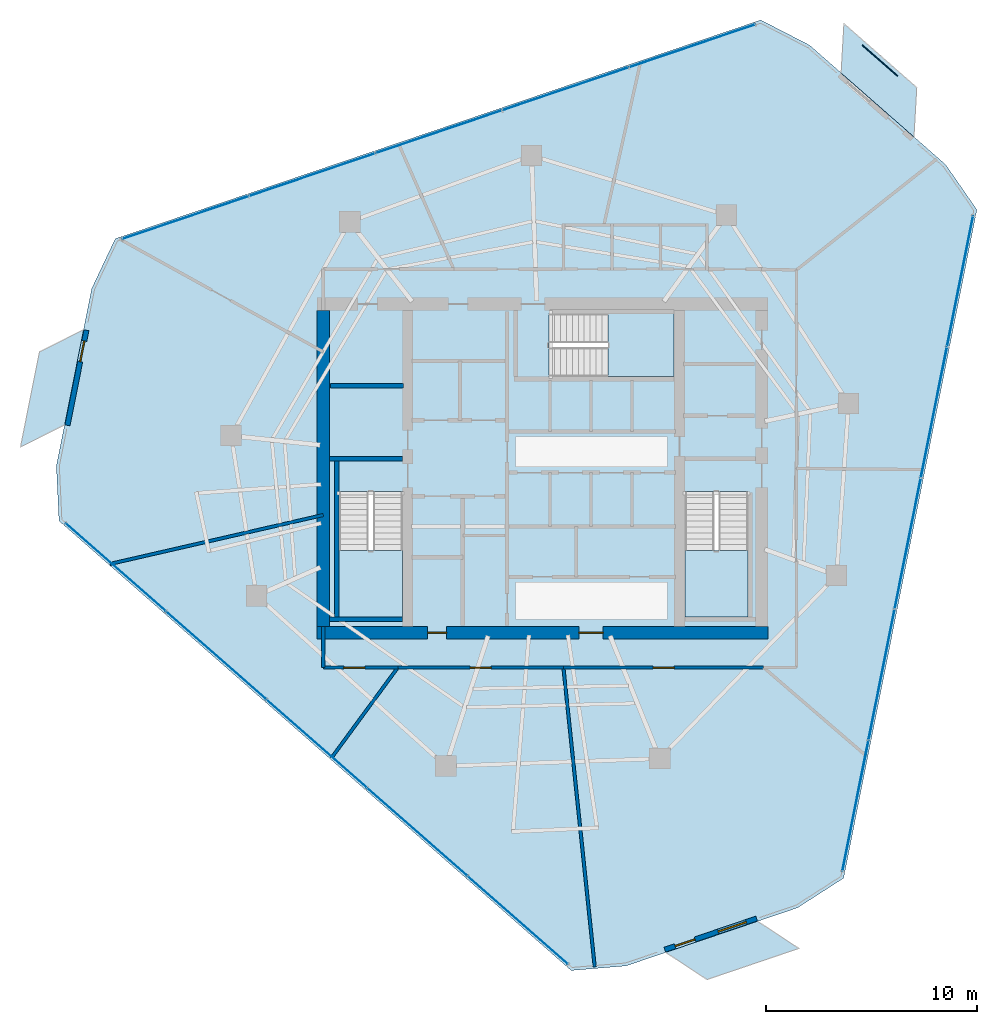
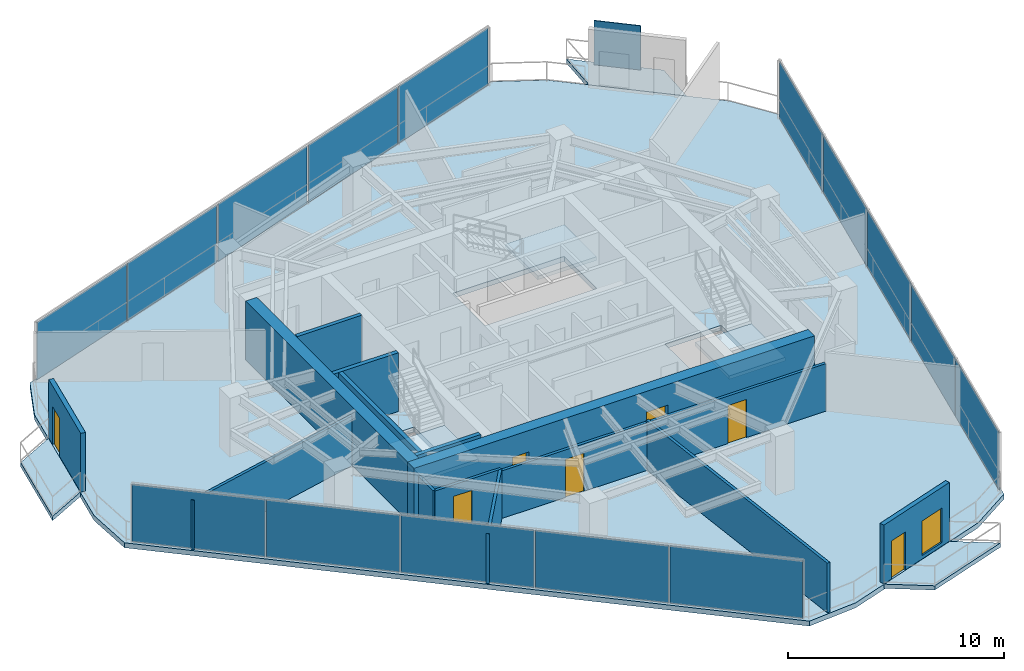
# One storey, part 15 of 20: 16 plates, 15 walls, 7 doors, 7 slabs, 1 window, 8 openings, 6 elements without a shape of their own.
"""IFC4 building model written with IfcOpenShell, lengths in metres."""

from ifc_helpers import new_model, si_unit, direction, frame, frame_2d, origin, origin_2d, place, context, subcontext, project, spatial, polyline, rectangle, outline, extrude, material, layer, layer_set, type_object, element, fill, aggregate, save


model = new_model("IFC4")

# Units and contexts
model_context = context("Model", 3, precision=1e-05, world=origin(), true_north=direction((0.0, 1.0)))
body_context = subcontext(model_context, "Body", "Model", "MODEL_VIEW")
ifc_project = project(units=[si_unit("LENGTHUNIT", "METRE"), si_unit("AREAUNIT", "SQUARE_METRE"), si_unit("VOLUMEUNIT", "CUBIC_METRE"), si_unit("PLANEANGLEUNIT", "RADIAN"), si_unit("MASSUNIT", "GRAM", prefix="KILO")], contexts=[model_context])

# Site, building, storey
site_placement = place(None, origin())
site = spatial("IfcSite", under=ifc_project, at=site_placement, CompositionType="ELEMENT")
building_placement = place(site_placement, origin())
building = spatial("IfcBuilding", under=site, at=building_placement, Name="Qarnah Convention Tower", CompositionType="ELEMENT")
storey_placement = place(building_placement, frame((0.0, 0.0, 136.5)))
storey = spatial("IfcBuildingStorey", under=building, at=storey_placement, Name="L36", CompositionType="ELEMENT", Elevation=136.5)

# Curtain wall, plates
ifc_material_1 = material(Name="Tempered Low-E dark glass", Category="glass")
ifc_layer_1 = layer(ifc_material_1, 0.172119140625)
ifc_layer_set_1 = layer_set([ifc_layer_1], Name="Tempered Low-E dark glass")
curtain_wall_type = type_object("IfcCurtainWallType", Name="CWS-03", PredefinedType="NOTDEFINED", material=ifc_layer_set_1)
curtain_wall_1_placement = place(storey_placement, origin())
curtain_wall_1 = element("IfcCurtainWall", 1, at=curtain_wall_1_placement, inside=storey, type_object=curtain_wall_type, Name="L36 unitised curtain wall CW-L36-F1", PredefinedType="NOTDEFINED")
ifc_layer_2 = layer(ifc_material_1, 0.031982421875)
ifc_layer_set_2 = layer_set([ifc_layer_2], Name="Tempered Low-E dark glass")
plate_type_1 = type_object("IfcPlateType", Name="PNL-T3", PredefinedType="CURTAIN_PANEL", material=ifc_layer_set_2)
plate_1_placement = place(storey_placement, frame((57.01416015625, 35.286865234375, 0.0400390625), z_axis=(0.0, 0.0, 1.0), x_axis=(-0.195625245476, -0.980678725849, 0.0)))
plate_1 = element("IfcPlate", 2, at=plate_1_placement, type_object=plate_type_1, Name="CW-L36-F1 curtain panel 1.1", PredefinedType="CURTAIN_PANEL", context=body_context, shape_type="SweptSolid", body=[
    extrude(rectangle(XDim=6.266845703125, YDim=0.031982421875, at=origin_2d()), origin(), (0.0, 0.0, 1.0), 3.239990234375),
])
plate_2_placement = place(storey_placement, frame((55.772705078125, 29.062744140625, 0.0400390625), z_axis=(0.0, 0.0, 1.0), x_axis=(-0.195625245476, -0.980678725849, 0.0)))
plate_2 = element("IfcPlate", 3, at=plate_2_placement, type_object=plate_type_1, Name="CW-L36-F1 curtain panel 2.1", PredefinedType="CURTAIN_PANEL", context=body_context, shape_type="SweptSolid", body=[
    extrude(rectangle(XDim=6.266845703125, YDim=0.031982421875, at=origin_2d()), origin(), (0.0, 0.0, 1.0), 3.239990234375),
])
plate_3_placement = place(storey_placement, frame((54.531005859375, 22.83837890625, 0.0400390625), z_axis=(0.0, 0.0, 1.0), x_axis=(-0.195625245476, -0.980678725849, 0.0)))
plate_3 = element("IfcPlate", 4, at=plate_3_placement, type_object=plate_type_1, Name="CW-L36-F1 curtain panel 3.1", PredefinedType="CURTAIN_PANEL", context=body_context, shape_type="SweptSolid", body=[
    extrude(rectangle(XDim=6.266845703125, YDim=0.031982421875, at=origin_2d()), origin(), (0.0, 0.0, 1.0), 3.239990234375),
])
plate_4_placement = place(storey_placement, frame((53.289306640625, 16.6142578125, 0.0400390625), z_axis=(0.0, 0.0, 1.0), x_axis=(-0.195625245476, -0.980678725849, 0.0)))
plate_4 = element("IfcPlate", 5, at=plate_4_placement, type_object=plate_type_1, Name="CW-L36-F1 curtain panel 4.1", PredefinedType="CURTAIN_PANEL", context=body_context, shape_type="SweptSolid", body=[
    extrude(rectangle(XDim=6.266845703125, YDim=0.031982421875, at=origin_2d()), origin(), (0.0, 0.0, 1.0), 3.239990234375),
])
plate_5_placement = place(storey_placement, frame((52.0478515625, 10.39013671875, 0.0400390625), z_axis=(0.0, 0.0, 1.0), x_axis=(-0.195625245476, -0.980678725849, 0.0)))
plate_5 = element("IfcPlate", 6, at=plate_5_placement, type_object=plate_type_1, Name="CW-L36-F1 curtain panel 5.1", PredefinedType="CURTAIN_PANEL", context=body_context, shape_type="SweptSolid", body=[
    extrude(rectangle(XDim=6.266845703125, YDim=0.031982421875, at=origin_2d()), origin(), (0.0, 0.0, 1.0), 3.239990234375),
])
aggregate(curtain_wall_1, [plate_1, plate_2, plate_3, plate_4, plate_5])

curtain_wall_2_placement = place(storey_placement, origin())
curtain_wall_2 = element("IfcCurtainWall", 7, at=curtain_wall_2_placement, inside=storey, type_object=curtain_wall_type, Name="L36 unitised curtain wall CW-L36-F2", PredefinedType="NOTDEFINED")
plate_6_placement = place(storey_placement, frame((36.029296875, 4.961669921875, 0.0400390625), z_axis=(0.0, 0.0, 1.0), x_axis=(-0.751498144926, 0.659735203072, 0.0)))
plate_6 = element("IfcPlate", 8, at=plate_6_placement, type_object=plate_type_1, Name="CW-L36-F2 curtain panel 1.1", PredefinedType="CURTAIN_PANEL", context=body_context, shape_type="SweptSolid", body=[
    extrude(rectangle(XDim=6.266845703125, YDim=0.031982421875, at=origin_2d()), origin(), (0.0, 0.0, 1.0), 3.239990234375),
])
plate_7_placement = place(storey_placement, frame((31.259521484375, 9.148681640625, 0.0400390625), z_axis=(0.0, 0.0, 1.0), x_axis=(-0.751498144926, 0.659735203072, 0.0)))
plate_7 = element("IfcPlate", 9, at=plate_7_placement, type_object=plate_type_1, Name="CW-L36-F2 curtain panel 2.1", PredefinedType="CURTAIN_PANEL", context=body_context, shape_type="SweptSolid", body=[
    extrude(rectangle(XDim=6.266845703125, YDim=0.031982421875, at=origin_2d()), origin(), (0.0, 0.0, 1.0), 3.239990234375),
])
plate_8_placement = place(storey_placement, frame((26.489990234375, 13.3359375, 0.0400390625), z_axis=(0.0, 0.0, 1.0), x_axis=(-0.751498144926, 0.659735203072, 0.0)))
plate_8 = element("IfcPlate", 10, at=plate_8_placement, type_object=plate_type_1, Name="CW-L36-F2 curtain panel 3.1", PredefinedType="CURTAIN_PANEL", context=body_context, shape_type="SweptSolid", body=[
    extrude(rectangle(XDim=6.266845703125, YDim=0.031982421875, at=origin_2d()), origin(), (0.0, 0.0, 1.0), 3.239990234375),
])
plate_9_placement = place(storey_placement, frame((21.720458984375, 17.523193359375, 0.0400390625), z_axis=(0.0, 0.0, 1.0), x_axis=(-0.751498144926, 0.659735203072, 0.0)))
plate_9 = element("IfcPlate", 11, at=plate_9_placement, type_object=plate_type_1, Name="CW-L36-F2 curtain panel 4.1", PredefinedType="CURTAIN_PANEL", context=body_context, shape_type="SweptSolid", body=[
    extrude(rectangle(XDim=6.266845703125, YDim=0.031982421875, at=origin_2d()), origin(), (0.0, 0.0, 1.0), 3.239990234375),
])
plate_10_placement = place(storey_placement, frame((16.95068359375, 21.71044921875, 0.0400390625), z_axis=(0.0, 0.0, 1.0), x_axis=(-0.751498144926, 0.659735203072, 0.0)))
plate_10 = element("IfcPlate", 12, at=plate_10_placement, type_object=plate_type_1, Name="CW-L36-F2 curtain panel 5.1", PredefinedType="CURTAIN_PANEL", context=body_context, shape_type="SweptSolid", body=[
    extrude(rectangle(XDim=6.266845703125, YDim=0.031982421875, at=origin_2d()), origin(), (0.0, 0.0, 1.0), 3.239990234375),
])
aggregate(curtain_wall_2, [plate_6, plate_7, plate_8, plate_9, plate_10])

curtain_wall_3_placement = place(storey_placement, origin())
curtain_wall_3 = element("IfcCurtainWall", 13, at=curtain_wall_3_placement, inside=storey, type_object=curtain_wall_type, Name="L36 unitised curtain wall CW-L36-F3", PredefinedType="NOTDEFINED")
plate_11_placement = place(storey_placement, frame((20.259521484375, 38.297607421875, 0.0400390625), z_axis=(0.0, 0.0, 1.0), x_axis=(0.947092669717, 0.320960238921, 0.0)))
plate_11 = element("IfcPlate", 14, at=plate_11_placement, type_object=plate_type_1, Name="CW-L36-F3 curtain panel 1.1", PredefinedType="CURTAIN_PANEL", context=body_context, shape_type="SweptSolid", body=[
    extrude(rectangle(XDim=6.2666015625, YDim=0.031982421875, at=origin_2d()), origin(), (0.0, 0.0, 1.0), 3.239990234375),
])
plate_12_placement = place(storey_placement, frame((26.270263671875, 40.33447265625, 0.0400390625), z_axis=(0.0, 0.0, 1.0), x_axis=(0.947092669717, 0.320960238921, 0.0)))
plate_12 = element("IfcPlate", 15, at=plate_12_placement, type_object=plate_type_1, Name="CW-L36-F3 curtain panel 2.1", PredefinedType="CURTAIN_PANEL", context=body_context, shape_type="SweptSolid", body=[
    extrude(rectangle(XDim=6.2666015625, YDim=0.031982421875, at=origin_2d()), origin(), (0.0, 0.0, 1.0), 3.239990234375),
])
plate_13_placement = place(storey_placement, frame((32.281005859375, 42.37158203125, 0.0400390625), z_axis=(0.0, 0.0, 1.0), x_axis=(0.947092669717, 0.320960238921, 0.0)))
plate_13 = element("IfcPlate", 16, at=plate_13_placement, type_object=plate_type_1, Name="CW-L36-F3 curtain panel 3.1", PredefinedType="CURTAIN_PANEL", context=body_context, shape_type="SweptSolid", body=[
    extrude(rectangle(XDim=6.2666015625, YDim=0.031982421875, at=origin_2d()), origin(), (0.0, 0.0, 1.0), 3.239990234375),
])
plate_14_placement = place(storey_placement, frame((38.291748046875, 44.408447265625, 0.0400390625), z_axis=(0.0, 0.0, 1.0), x_axis=(0.947092669717, 0.320960238921, 0.0)))
plate_14 = element("IfcPlate", 17, at=plate_14_placement, type_object=plate_type_1, Name="CW-L36-F3 curtain panel 4.1", PredefinedType="CURTAIN_PANEL", context=body_context, shape_type="SweptSolid", body=[
    extrude(rectangle(XDim=6.2666015625, YDim=0.031982421875, at=origin_2d()), origin(), (0.0, 0.0, 1.0), 3.239990234375),
])
plate_15_placement = place(storey_placement, frame((44.302490234375, 46.445556640625, 0.0400390625), z_axis=(0.0, 0.0, 1.0), x_axis=(0.947092669717, 0.320960238921, 0.0)))
plate_15 = element("IfcPlate", 18, at=plate_15_placement, type_object=plate_type_1, Name="CW-L36-F3 curtain panel 5.1", PredefinedType="CURTAIN_PANEL", context=body_context, shape_type="SweptSolid", body=[
    extrude(rectangle(XDim=6.2666015625, YDim=0.031982421875, at=origin_2d()), origin(), (0.0, 0.0, 1.0), 3.239990234375),
])
aggregate(curtain_wall_3, [plate_11, plate_12, plate_13, plate_14, plate_15])

# Plate
ifc_material_2 = material(Name="Black anodised aluminium", Category="aluminium")
ifc_layer_3 = layer(ifc_material_2, 0.044921875)
ifc_layer_set_3 = layer_set([ifc_layer_3], Name="Black anodised aluminium")
plate_type_2 = type_object("IfcPlateType", Name="SCR-BAL-18", PredefinedType="USERDEFINED", material=ifc_layer_set_3)
plate_16_placement = place(storey_placement, frame((53.216064453125, 45.74609375, 0.0), z_axis=(0.0, 0.0, 1.0), x_axis=(0.75148526, -0.659749879881, 0.0)))
element("IfcPlate", 19, at=plate_16_placement, inside=storey, type_object=plate_type_2, Name="L36 perforated desert solar screen BAL-L36-C1", ObjectType="SCREEN", PredefinedType="USERDEFINED", context=body_context, shape_type="SweptSolid", body=[
    extrude(rectangle(XDim=2.199951171875, YDim=0.044921875, at=origin_2d()), origin(), (0.0, 0.0, 1.0), 2.5),
])

# Slabs
ifc_material_3 = material(Name="Concrete C45/55", Category="concrete")
ifc_layer_4 = layer(ifc_material_3, 0.239990234375)
ifc_layer_set_4 = layer_set([ifc_layer_4], Name="Concrete C45/55")
slab_type_1 = type_object("IfcSlabType", Name="SLB-BAL-240", PredefinedType="USERDEFINED", material=ifc_layer_set_4)
slab_1_placement = place(storey_placement, frame((0.0, 0.0, -0.239990234375)))
element("IfcSlab", 20, at=slab_1_placement, inside=storey, type_object=slab_type_1, Name="L36 cantilevered balcony slab BAL-L36-C1", ObjectType="BALCONY", PredefinedType="USERDEFINED", context=body_context, shape_type="SweptSolid", body=[
    extrude(outline(polyline([(51.5009765625, 47.5029296875), (54.9580078125, 44.468017578125), (54.823974609375, 42.1259765625), (51.366943359375, 45.159912109375), (51.5009765625, 47.5029296875)])), origin(), (0.0, 0.0, 1.0), 0.239990234375),
])
slab_2_placement = place(storey_placement, frame((0.0, 0.0, -0.239990234375)))
element("IfcSlab", 21, at=slab_2_placement, inside=storey, type_object=slab_type_1, Name="L36 cantilevered balcony slab BAL-L36-C2", ObjectType="BALCONY", PredefinedType="USERDEFINED", context=body_context, shape_type="SweptSolid", body=[
    extrude(outline(polyline([(12.43505859375, 27.4150390625), (13.3349609375, 31.927001953125), (15.430908203125, 32.98095703125), (14.531005859375, 28.469970703125), (12.43505859375, 27.4150390625)])), origin(), (0.0, 0.0, 1.0), 0.239990234375),
])
slab_3_placement = place(storey_placement, frame((0.0, 0.0, -0.239990234375)))
element("IfcSlab", 22, at=slab_3_placement, inside=storey, type_object=slab_type_1, Name="L36 cantilevered balcony slab BAL-L36-C3", ObjectType="BALCONY", PredefinedType="USERDEFINED", context=body_context, shape_type="SweptSolid", body=[
    extrude(outline(polyline([(49.364990234375, 3.626953125), (45.008056640625, 2.15087890625), (43.044921875, 3.43896484375), (47.403076171875, 4.9150390625), (49.364990234375, 3.626953125)])), origin(), (0.0, 0.0, 1.0), 0.239990234375),
])

# Stair, slab
ifc_material_4 = material(Name="Concrete C50/60", Category="concrete")
stair_type = type_object("IfcStairType", Name="STR-OFF", PredefinedType="HALF_TURN_STAIR", material=ifc_material_4)
stair_1_placement = place(storey_placement, origin())
stair_1 = element("IfcStair", 23, at=stair_1_placement, inside=storey, type_object=stair_type, Name="L36 Core exit stair ST-1", PredefinedType="HALF_TURN_STAIR")
ifc_layer_5 = layer(ifc_material_4, 0.199951171875)
ifc_layer_set_5 = layer_set([ifc_layer_5], Name="Concrete C50/60")
slab_type_2 = type_object("IfcSlabType", Name="SLB-LANDING-200", PredefinedType="LANDING", material=ifc_layer_set_5)
slab_4_placement = place(storey_placement, frame((0.0, 0.0, 1.60009765625)))
slab_4 = element("IfcSlab", 24, at=slab_4_placement, type_object=slab_type_2, Name="ST-1 landing 1", PredefinedType="LANDING", context=body_context, shape_type="SweptSolid", body=[
    extrude(outline(polyline([(27.550048828125, 22.5), (27.550048828125, 19.35009765625), (30.550048828125, 19.35009765625), (30.550048828125, 22.5), (27.550048828125, 22.5)])), origin(), (0.0, 0.0, 1.0), 0.199951171875),
])
aggregate(stair_1, [slab_4])

stair_2_placement = place(storey_placement, origin())
stair_2 = element("IfcStair", 25, at=stair_2_placement, inside=storey, type_object=stair_type, Name="L36 Core exit stair ST-2", PredefinedType="HALF_TURN_STAIR")
slab_5_placement = place(storey_placement, frame((0.0, 0.0, 1.60009765625)))
slab_5 = element("IfcSlab", 26, at=slab_5_placement, type_object=slab_type_2, Name="ST-2 landing 1", PredefinedType="LANDING", context=body_context, shape_type="SweptSolid", body=[
    extrude(outline(polyline([(43.949951171875, 22.5), (43.949951171875, 19.35009765625), (46.949951171875, 19.35009765625), (46.949951171875, 22.5), (43.949951171875, 22.5)])), origin(), (0.0, 0.0, 1.0), 0.199951171875),
])
aggregate(stair_2, [slab_5])

stair_3_placement = place(storey_placement, origin())
stair_3 = element("IfcStair", 27, at=stair_3_placement, inside=storey, type_object=stair_type, Name="L36 Core exit stair ST-3", PredefinedType="HALF_TURN_STAIR")
slab_6_placement = place(storey_placement, frame((0.0, 0.0, 1.60009765625)))
slab_6 = element("IfcSlab", 28, at=slab_6_placement, type_object=slab_type_2, Name="ST-3 landing 1", PredefinedType="LANDING", context=body_context, shape_type="SweptSolid", body=[
    extrude(outline(polyline([(40.300048828125, 30.75), (43.449951171875, 30.75), (43.449951171875, 33.75), (40.300048828125, 33.75), (40.300048828125, 30.75)])), origin(), (0.0, 0.0, 1.0), 0.199951171875),
])
aggregate(stair_3, [slab_6])

# Slab
ifc_layer_6 = layer(ifc_material_3, 0.280029296875)
ifc_layer_set_6 = layer_set([ifc_layer_6], Name="Concrete C45/55")
slab_type_3 = type_object("IfcSlabType", Name="SLB-TWR-280", PredefinedType="FLOOR", material=ifc_layer_set_6)
slab_7_placement = place(storey_placement, frame((0.0, 0.0, -0.280029296875)))
element("IfcSlab", 29, at=slab_7_placement, inside=storey, type_object=slab_type_3, Name="L36 structural floor slab", PredefinedType="FLOOR", context=body_context, shape_type="SweptSolid", body=[
    extrude(outline(polyline([(47.553955078125, 47.674072265625), (16.930908203125, 37.2958984375), (15.81689453125, 34.93896484375), (14.136962890625, 26.51611328125), (14.260986328125, 23.912109375), (38.56005859375, 2.580078125), (41.157958984375, 2.794921875), (49.2919921875, 5.551025390625), (51.486083984375, 6.9599609375), (57.81103515625, 38.669921875), (56.325927734375, 40.81298828125), (49.87109375, 46.47900390625), (47.553955078125, 47.674072265625)]), holes=[polyline([(27.550048828125, 25.300048828125), (27.550048828125, 19.35009765625), (30.550048828125, 19.35009765625), (30.550048828125, 25.300048828125), (27.550048828125, 25.300048828125)]), polyline([(43.949951171875, 25.300048828125), (43.949951171875, 19.35009765625), (46.949951171875, 19.35009765625), (46.949951171875, 25.300048828125), (43.949951171875, 25.300048828125)]), polyline([(37.5, 30.75), (43.449951171875, 30.75), (43.449951171875, 33.75), (37.5, 33.75), (37.5, 30.75)])]), origin(), (0.0, 0.0, 1.0), 0.280029296875),
])

# Wall, openings, doors
ifc_material_5 = material(Name="Concrete C60/75", Category="concrete")
ifc_layer_7 = layer(ifc_material_5, 0.60009765625)
ifc_layer_set_7 = layer_set([ifc_layer_7], Name="Concrete C60/75")
wall_type_1 = type_object("IfcWallType", Name="WL-CORE-600", PredefinedType="SHEAR", material=ifc_layer_set_7)
wall_1_placement = place(storey_placement, frame((26.5, 18.60009765625, 0.0), z_axis=(0.0, 0.0, 1.0), x_axis=(1.0, 0.0, 0.0)))
wall_1 = element("IfcWall", 30, at=wall_1_placement, inside=storey, type_object=wall_type_1, Name="L36 core south shear wall", PredefinedType="SHEAR", context=body_context, shape_type="SweptSolid", body=[
    extrude(rectangle(XDim=21.39990234375, YDim=0.60009765625, at=frame_2d((10.699951171875, 0.0))), origin(), (0.0, 0.0, 1.0), 3.320068359375),
])
opening_1_placement = place(wall_1_placement, frame((12.425048828125, 0.0, 0.0)))
opening_1 = element("IfcOpeningElement", 31, at=opening_1_placement, cuts=wall_1, Name="Opening D-3607", PredefinedType="OPENING", context=body_context, shape_type="SweptSolid", body=[
    extrude(rectangle(XDim=1.14990234375, YDim=2.14990234375, at=frame_2d((0.574951171875, 1.074951171875))), frame((0.0, 0.31005859375, 0.0), z_axis=(0.0, -1.0, 0.0), x_axis=(1.0, 0.0, 0.0)), (0.0, 0.0, 1.0), 0.6201171875),
])
opening_2_placement = place(wall_1_placement, frame((5.25, 0.0, 0.0)))
opening_2 = element("IfcOpeningElement", 32, at=opening_2_placement, cuts=wall_1, Name="Opening D-3613", PredefinedType="OPENING", context=body_context, shape_type="SweptSolid", body=[
    extrude(rectangle(XDim=0.89990234375, YDim=2.10009765625, at=frame_2d((0.449951171875, 1.050048828125))), frame((0.0, 0.31005859375, 0.0), z_axis=(0.0, -1.0, 0.0), x_axis=(1.0, 0.0, 0.0)), (0.0, 0.0, 1.0), 0.6201171875),
])
ifc_material_6 = material(Name="Structural steel S355JR", Category="steel")
door_type_1 = type_object("IfcDoorType", Name="DT-LOBBY-1150", OperationType="NOTDEFINED", PredefinedType="DOOR", material=ifc_material_6)
door_1_placement = place(opening_1_placement, origin())
door_1 = element("IfcDoor", 33, at=door_1_placement, inside=storey, type_object=door_type_1, Name="Door D-3607", OperationType="SINGLE_SWING_RIGHT", OverallHeight=2.14990234375, OverallWidth=1.14990234375, PredefinedType="DOOR", context=body_context, shape_type="SweptSolid", body=[
    extrude(rectangle(XDim=1.14990234375, YDim=2.14990234375, at=frame_2d((0.574951171875, 1.074951171875))), frame((0.0, 0.02490234375, 0.0), z_axis=(0.0, -1.0, 0.0), x_axis=(1.0, 0.0, 0.0)), (0.0, 0.0, 1.0), 0.050048828125),
])
fill(opening_1, door_1)
door_type_2 = type_object("IfcDoorType", Name="DT-RISER-900", OperationType="NOTDEFINED", PredefinedType="DOOR", material=ifc_material_6)
door_2_placement = place(opening_2_placement, origin())
door_2 = element("IfcDoor", 34, at=door_2_placement, inside=storey, type_object=door_type_2, Name="Door D-3613", OperationType="SINGLE_SWING_RIGHT", OverallHeight=2.10009765625, OverallWidth=0.89990234375, PredefinedType="DOOR", context=body_context, shape_type="SweptSolid", body=[
    extrude(rectangle(XDim=0.89990234375, YDim=2.10009765625, at=frame_2d((0.449951171875, 1.050048828125))), frame((0.0, 0.02490234375, 0.0), z_axis=(0.0, -1.0, 0.0), x_axis=(1.0, 0.0, 0.0)), (0.0, 0.0, 1.0), 0.050048828125),
])
fill(opening_2, door_2)

# Walls
wall_2_placement = place(storey_placement, frame((26.800048828125, 18.89990234375, 0.0), z_axis=(0.0, 0.0, 1.0), x_axis=(0.0, 1.0, 0.0)))
element("IfcWall", 35, at=wall_2_placement, inside=storey, type_object=wall_type_1, Name="L36 core west shear wall", PredefinedType="SHEAR", context=body_context, shape_type="SweptSolid", body=[
    extrude(rectangle(XDim=15.0, YDim=0.60009765625, at=frame_2d((7.5, 0.0))), origin(), (0.0, 0.0, 1.0), 3.320068359375),
])
ifc_layer_8 = layer(ifc_material_3, 0.199951171875)
ifc_layer_set_8 = layer_set([ifc_layer_8], Name="Concrete C45/55")
wall_type_2 = type_object("IfcWallType", Name="WL-CORE-PART-200", PredefinedType="SOLIDWALL", material=ifc_layer_set_8)
wall_3_placement = place(storey_placement, frame((27.14990234375, 30.320068359375, 0.0), z_axis=(0.0, 0.0, 1.0), x_axis=(1.0, 0.0, 0.0)))
element("IfcWall", 36, at=wall_3_placement, inside=storey, type_object=wall_type_2, Name="L36 interior wall IW-L36-ELRN", PredefinedType="SOLIDWALL", context=body_context, shape_type="SweptSolid", body=[
    extrude(rectangle(XDim=3.4501953125, YDim=0.199951171875, at=frame_2d((1.72509765625, 0.0))), origin(), (0.0, 0.0, 1.0), 3.320068359375),
])
ifc_layer_9 = layer(ifc_material_5, 0.219970703125)
ifc_layer_set_9 = layer_set([ifc_layer_9], Name="Concrete C60/75")
wall_type_3 = type_object("IfcWallType", Name="WL-CORE-STAIR-220", PredefinedType="SHEAR", material=ifc_layer_set_9)
wall_4_placement = place(storey_placement, frame((27.10009765625, 26.860107421875, 0.0), z_axis=(0.0, 0.0, 1.0), x_axis=(1.0, 0.0, 0.0)))
element("IfcWall", 37, at=wall_4_placement, inside=storey, type_object=wall_type_3, Name="L36 stair shaft shear wall SW-L36-ST1N", PredefinedType="SHEAR", context=body_context, shape_type="SweptSolid", body=[
    extrude(rectangle(XDim=3.449951171875, YDim=0.219970703125, at=frame_2d((1.72509765625, 0.0))), origin(), (0.0, 0.0, 1.0), 3.320068359375),
])
wall_5_placement = place(storey_placement, frame((27.43994140625, 19.35009765625, 0.0), z_axis=(0.0, 0.0, 1.0), x_axis=(0.0, 1.0, 0.0)))
element("IfcWall", 38, at=wall_5_placement, inside=storey, type_object=wall_type_3, Name="L36 stair shaft shear wall SW-L36-ST1W", PredefinedType="SHEAR", context=body_context, shape_type="SweptSolid", body=[
    extrude(rectangle(XDim=7.39990234375, YDim=0.219970703125, at=frame_2d((3.699951171875, 0.0))), origin(), (0.0, 0.0, 1.0), 3.320068359375),
])
wall_6_placement = place(storey_placement, frame((27.10009765625, 19.239990234375, 0.0), z_axis=(0.0, 0.0, 1.0), x_axis=(1.0, 0.0, 0.0)))
element("IfcWall", 39, at=wall_6_placement, inside=storey, type_object=wall_type_3, Name="L36 stair shaft shear wall SW-L36-ST1S", PredefinedType="SHEAR", context=body_context, shape_type="SweptSolid", body=[
    extrude(rectangle(XDim=3.449951171875, YDim=0.219970703125, at=frame_2d((1.72509765625, 0.0))), origin(), (0.0, 0.0, 1.0), 3.320068359375),
])

# Wall, opening, door
ifc_material_7 = material(Name="Precast concrete C45/55", Category="concrete")
ifc_layer_10 = layer(ifc_material_7, 0.239990234375)
ifc_layer_set_10 = layer_set([ifc_layer_10], Name="Precast concrete C45/55")
wall_type_4 = type_object("IfcWallType", Name="WL-EXT-BAL-240", PredefinedType="SOLIDWALL", material=ifc_layer_set_10)
wall_7_placement = place(storey_placement, frame((14.6650390625, 28.445068359375, 0.0), z_axis=(0.0, 0.0, 1.0), x_axis=(0.195432201307, 0.980717214437, 0.0)))
wall_7 = element("IfcWall", 40, at=wall_7_placement, inside=storey, type_object=wall_type_4, Name="L36 loggia threshold wall BAL-L36-C2", PredefinedType="SOLIDWALL", context=body_context, shape_type="SweptSolid", body=[
    extrude(rectangle(XDim=4.599609375, YDim=0.239990234375, at=frame_2d((2.2998046875, 0.0))), origin(), (0.0, 0.0, 1.0), 3.320068359375),
])
opening_3_placement = place(wall_7_placement, frame((3.080078125, 0.0, 0.0)))
opening_3 = element("IfcOpeningElement", 41, at=opening_3_placement, cuts=wall_7, Name="Opening BD-3602", PredefinedType="OPENING", context=body_context, shape_type="SweptSolid", body=[
    extrude(rectangle(XDim=1.0, YDim=2.14990234375, at=frame_2d((0.5, 1.074951171875))), frame((0.0, 0.1298828125, 0.0), z_axis=(0.0, -1.0, 0.0), x_axis=(1.0, 0.0, 0.0)), (0.0, 0.0, 1.0), 0.260009765625),
])
door_type_3 = type_object("IfcDoorType", Name="DT-BAL-1000", OperationType="NOTDEFINED", PredefinedType="DOOR", material=ifc_material_2)
door_3_placement = place(opening_3_placement, origin())
door_3 = element("IfcDoor", 42, at=door_3_placement, inside=storey, type_object=door_type_3, Name="L36 balcony terrace door BAL-L36-C2", OperationType="SINGLE_SWING_RIGHT", OverallHeight=2.14990234375, OverallWidth=1.0, PredefinedType="DOOR", context=body_context, shape_type="SweptSolid", body=[
    extrude(rectangle(XDim=1.0, YDim=2.14990234375, at=frame_2d((0.5, 1.074951171875))), frame((0.0, 0.02490234375, 0.0), z_axis=(0.0, -1.0, 0.0), x_axis=(1.0, 0.0, 0.0)), (0.0, 0.0, 1.0), 0.050048828125),
])
fill(opening_3, door_3)

# Wall, openings, door, window
wall_8_placement = place(storey_placement, frame((47.35888671875, 5.04296875, 0.0), z_axis=(0.0, 0.0, 1.0), x_axis=(-0.947122205073, -0.320873072502, 0.0)))
wall_8 = element("IfcWall", 43, at=wall_8_placement, inside=storey, type_object=wall_type_4, Name="L36 loggia threshold wall BAL-L36-C3", PredefinedType="SOLIDWALL", context=body_context, shape_type="SweptSolid", body=[
    extrude(rectangle(XDim=4.60009765625, YDim=0.239990234375, at=frame_2d((2.300048828125, 0.0))), origin(), (0.0, 0.0, 1.0), 3.320068359375),
])
opening_4_placement = place(wall_8_placement, frame((3.080078125, 0.0, 0.0)))
opening_4 = element("IfcOpeningElement", 44, at=opening_4_placement, cuts=wall_8, Name="Opening BD-3603", PredefinedType="OPENING", context=body_context, shape_type="SweptSolid", body=[
    extrude(rectangle(XDim=1.0, YDim=2.14990234375, at=frame_2d((0.5, 1.074951171875))), frame((0.0, 0.1298828125, 0.0), z_axis=(0.0, -1.0, 0.0), x_axis=(1.0, 0.0, 0.0)), (0.0, 0.0, 1.0), 0.260009765625),
])
opening_5_placement = place(wall_8_placement, frame((0.52001953125, 0.0, 0.199951171875)))
opening_5 = element("IfcOpeningElement", 45, at=opening_5_placement, cuts=wall_8, Name="Opening WN4", PredefinedType="OPENING", context=body_context, shape_type="SweptSolid", body=[
    extrude(rectangle(XDim=1.39990234375, YDim=1.949951171875, at=frame_2d((0.699951171875, 0.97509765625))), frame((0.0, 0.1298828125, 0.0), z_axis=(0.0, -1.0, 0.0), x_axis=(1.0, 0.0, 0.0)), (0.0, 0.0, 1.0), 0.260009765625),
])
door_4_placement = place(opening_4_placement, origin())
door_4 = element("IfcDoor", 46, at=door_4_placement, inside=storey, type_object=door_type_3, Name="L36 balcony terrace door BAL-L36-C3", OperationType="SINGLE_SWING_LEFT", OverallHeight=2.14990234375, OverallWidth=1.0, PredefinedType="DOOR", context=body_context, shape_type="SweptSolid", body=[
    extrude(rectangle(XDim=1.0, YDim=2.14990234375, at=frame_2d((0.5, 1.074951171875))), frame((0.0, 0.02490234375, 0.0), z_axis=(0.0, -1.0, 0.0), x_axis=(1.0, 0.0, 0.0)), (0.0, 0.0, 1.0), 0.050048828125),
])
fill(opening_4, door_4)
window_type = type_object("IfcWindowType", Name="WT-BAL-1400X2000", PartitioningType="SINGLE_PANEL", PredefinedType="WINDOW", material=ifc_material_1)
window_placement = place(opening_5_placement, origin())
window = element("IfcWindow", 47, at=window_placement, inside=storey, type_object=window_type, Name="Window BW-BAL-L36-C3", OverallHeight=1.949951171875, OverallWidth=1.39990234375, PartitioningType="SINGLE_PANEL", PredefinedType="WINDOW", context=body_context, shape_type="SweptSolid", body=[
    extrude(rectangle(XDim=1.39990234375, YDim=1.949951171875, at=frame_2d((0.699951171875, 0.97509765625))), frame((0.0, 0.030029296875, 0.0), z_axis=(0.0, -1.0, 0.0), x_axis=(1.0, 0.0, 0.0)), (0.0, 0.0, 1.0), 0.06005859375),
])
fill(opening_5, window)

# Walls
ifc_material_8 = material(Name="Gypsum partition board")
ifc_layer_11 = layer(ifc_material_8, 0.14990234375)
ifc_layer_set_11 = layer_set([ifc_layer_11], Name="Gypsum partition board")
wall_type_5 = type_object("IfcWallType", Name="WL-SUITE-150", PredefinedType="PARTITIONING", material=ifc_layer_set_11)
wall_9_placement = place(storey_placement, frame((16.68603515625, 21.868896484375, 0.0), z_axis=(0.0, 0.0, 1.0), x_axis=(0.97468459073, 0.223584320991, 0.0)))
element("IfcWall", 48, at=wall_9_placement, inside=storey, type_object=wall_type_5, Name="L36 interior wall IW-L36-R-23", PredefinedType="PARTITIONING", context=body_context, shape_type="SweptSolid", body=[
    extrude(rectangle(XDim=10.376708984375, YDim=0.14990234375, at=frame_2d((5.1884765625, 0.0))), origin(), (0.0, 0.0, 1.0), 2.804931640625),
])
wall_10_placement = place(storey_placement, frame((27.18994140625, 12.6669921875, 0.0), z_axis=(0.0, 0.0, 1.0), x_axis=(0.591756035764, 0.806117109443, 0.0)))
element("IfcWall", 49, at=wall_10_placement, inside=storey, type_object=wall_type_5, Name="L36 interior wall IW-L36-R-24", PredefinedType="PARTITIONING", context=body_context, shape_type="SweptSolid", body=[
    extrude(rectangle(XDim=5.31298828125, YDim=0.14990234375, at=frame_2d((2.656494140625, 0.0))), origin(), (0.0, 0.0, 1.0), 2.804931640625),
])

# Wall, opening, door
wall_11_placement = place(storey_placement, frame((30.333984375, 16.949951171875, 0.0), z_axis=(0.0, 0.0, 1.0), x_axis=(-1.0, 0.0, 0.0)))
wall_11 = element("IfcWall", 50, at=wall_11_placement, inside=storey, type_object=wall_type_5, Name="L36 interior wall IW-L36-R-25", PredefinedType="PARTITIONING", context=body_context, shape_type="SweptSolid", body=[
    extrude(rectangle(XDim=3.533935546875, YDim=0.14990234375, at=frame_2d((1.76708984375, 0.0))), origin(), (0.0, 0.0, 1.0), 2.804931640625),
])
opening_6_placement = place(wall_11_placement, frame((1.56005859375, 0.0, 0.0)))
opening_6 = element("IfcOpeningElement", 51, at=opening_6_placement, cuts=wall_11, Name="Opening D-3626", PredefinedType="OPENING", context=body_context, shape_type="SweptSolid", body=[
    extrude(rectangle(XDim=1.0, YDim=2.14990234375, at=frame_2d((0.5, 1.074951171875))), frame((0.0, 0.0849609375, 0.0), z_axis=(0.0, -1.0, 0.0), x_axis=(1.0, 0.0, 0.0)), (0.0, 0.0, 1.0), 0.169921875),
])
ifc_material_9 = material(Name="Oak timber veneer", Category="wood")
door_type_4 = type_object("IfcDoorType", Name="DT-OFFICE-1000", OperationType="NOTDEFINED", PredefinedType="DOOR", material=ifc_material_9)
door_5_placement = place(opening_6_placement, origin())
door_5 = element("IfcDoor", 52, at=door_5_placement, inside=storey, type_object=door_type_4, Name="Door D-3626", OperationType="SINGLE_SWING_LEFT", OverallHeight=2.14990234375, OverallWidth=1.0, PredefinedType="DOOR", context=body_context, shape_type="SweptSolid", body=[
    extrude(rectangle(XDim=1.0, YDim=2.14990234375, at=frame_2d((0.5, 1.074951171875))), frame((0.0, 0.02490234375, 0.0), z_axis=(0.0, -1.0, 0.0), x_axis=(1.0, 0.0, 0.0)), (0.0, 0.0, 1.0), 0.050048828125),
])
fill(opening_6, door_5)

# Walls
wall_12_placement = place(storey_placement, frame((26.800048828125, 16.949951171875, 0.0), z_axis=(0.0, 0.0, 1.0), x_axis=(0.0, 1.0, 0.0)))
element("IfcWall", 53, at=wall_12_placement, inside=storey, type_object=wall_type_5, Name="L36 interior wall IW-L36-R-26", PredefinedType="PARTITIONING", context=body_context, shape_type="SweptSolid", body=[
    extrude(rectangle(XDim=1.949951171875, YDim=0.14990234375, at=frame_2d((0.97509765625, 0.0))), origin(), (0.0, 0.0, 1.0), 2.804931640625),
])
wall_13_placement = place(storey_placement, frame((39.678955078125, 2.7529296875, 0.0), z_axis=(0.0, 0.0, 1.0), x_axis=(-0.104090043203, 0.994567877475, 0.0)))
element("IfcWall", 54, at=wall_13_placement, inside=storey, type_object=wall_type_5, Name="L36 interior wall IW-L36-R-27", PredefinedType="PARTITIONING", context=body_context, shape_type="SweptSolid", body=[
    extrude(rectangle(XDim=14.274658203125, YDim=0.14990234375, at=frame_2d((7.13720703125, 0.0))), origin(), (0.0, 0.0, 1.0), 2.804931640625),
])

# Wall, opening, door
wall_14_placement = place(storey_placement, frame((38.193115234375, 16.949951171875, 0.0), z_axis=(0.0, 0.0, 1.0), x_axis=(-1.0, 0.0, 0.0)))
wall_14 = element("IfcWall", 55, at=wall_14_placement, inside=storey, type_object=wall_type_5, Name="L36 interior wall IW-L36-R-28", PredefinedType="PARTITIONING", context=body_context, shape_type="SweptSolid", body=[
    extrude(rectangle(XDim=7.859130859375, YDim=0.14990234375, at=frame_2d((3.9296875, 0.0))), origin(), (0.0, 0.0, 1.0), 2.68701171875),
])
opening_7_placement = place(wall_14_placement, frame((3.428955078125, 0.0, 0.0)))
opening_7 = element("IfcOpeningElement", 56, at=opening_7_placement, cuts=wall_14, Name="Opening D-3627", PredefinedType="OPENING", context=body_context, shape_type="SweptSolid", body=[
    extrude(rectangle(XDim=1.0, YDim=2.14990234375, at=frame_2d((0.5, 1.074951171875))), frame((0.0, 0.0849609375, 0.0), z_axis=(0.0, -1.0, 0.0), x_axis=(1.0, 0.0, 0.0)), (0.0, 0.0, 1.0), 0.169921875),
])
door_6_placement = place(opening_7_placement, origin())
door_6 = element("IfcDoor", 57, at=door_6_placement, inside=storey, type_object=door_type_4, Name="Door D-3627", OperationType="SINGLE_SWING_RIGHT", OverallHeight=2.14990234375, OverallWidth=1.0, PredefinedType="DOOR", context=body_context, shape_type="SweptSolid", body=[
    extrude(rectangle(XDim=1.0, YDim=2.14990234375, at=frame_2d((0.5, 1.074951171875))), frame((0.0, 0.02490234375, 0.0), z_axis=(0.0, -1.0, 0.0), x_axis=(1.0, 0.0, 0.0)), (0.0, 0.0, 1.0), 0.050048828125),
])
fill(opening_7, door_6)

wall_15_placement = place(storey_placement, frame((47.695068359375, 16.949951171875, 0.0), z_axis=(0.0, 0.0, 1.0), x_axis=(-1.0, 0.0, 0.0)))
wall_15 = element("IfcWall", 58, at=wall_15_placement, inside=storey, type_object=wall_type_5, Name="L36 interior wall IW-L36-R-30", PredefinedType="PARTITIONING", context=body_context, shape_type="SweptSolid", body=[
    extrude(rectangle(XDim=9.501953125, YDim=0.14990234375, at=frame_2d((4.7509765625, 0.0))), origin(), (0.0, 0.0, 1.0), 2.68701171875),
])
opening_8_placement = place(wall_15_placement, frame((4.2509765625, 0.0, 0.0)))
opening_8 = element("IfcOpeningElement", 59, at=opening_8_placement, cuts=wall_15, Name="Opening D-3628", PredefinedType="OPENING", context=body_context, shape_type="SweptSolid", body=[
    extrude(rectangle(XDim=1.0, YDim=2.14990234375, at=frame_2d((0.5, 1.074951171875))), frame((0.0, 0.0849609375, 0.0), z_axis=(0.0, -1.0, 0.0), x_axis=(1.0, 0.0, 0.0)), (0.0, 0.0, 1.0), 0.169921875),
])
door_7_placement = place(opening_8_placement, origin())
door_7 = element("IfcDoor", 60, at=door_7_placement, inside=storey, type_object=door_type_4, Name="Door D-3628", OperationType="SINGLE_SWING_LEFT", OverallHeight=2.14990234375, OverallWidth=1.0, PredefinedType="DOOR", context=body_context, shape_type="SweptSolid", body=[
    extrude(rectangle(XDim=1.0, YDim=2.14990234375, at=frame_2d((0.5, 1.074951171875))), frame((0.0, 0.02490234375, 0.0), z_axis=(0.0, -1.0, 0.0), x_axis=(1.0, 0.0, 0.0)), (0.0, 0.0, 1.0), 0.050048828125),
])
fill(opening_8, door_7)

save(model, "model.ifc")
